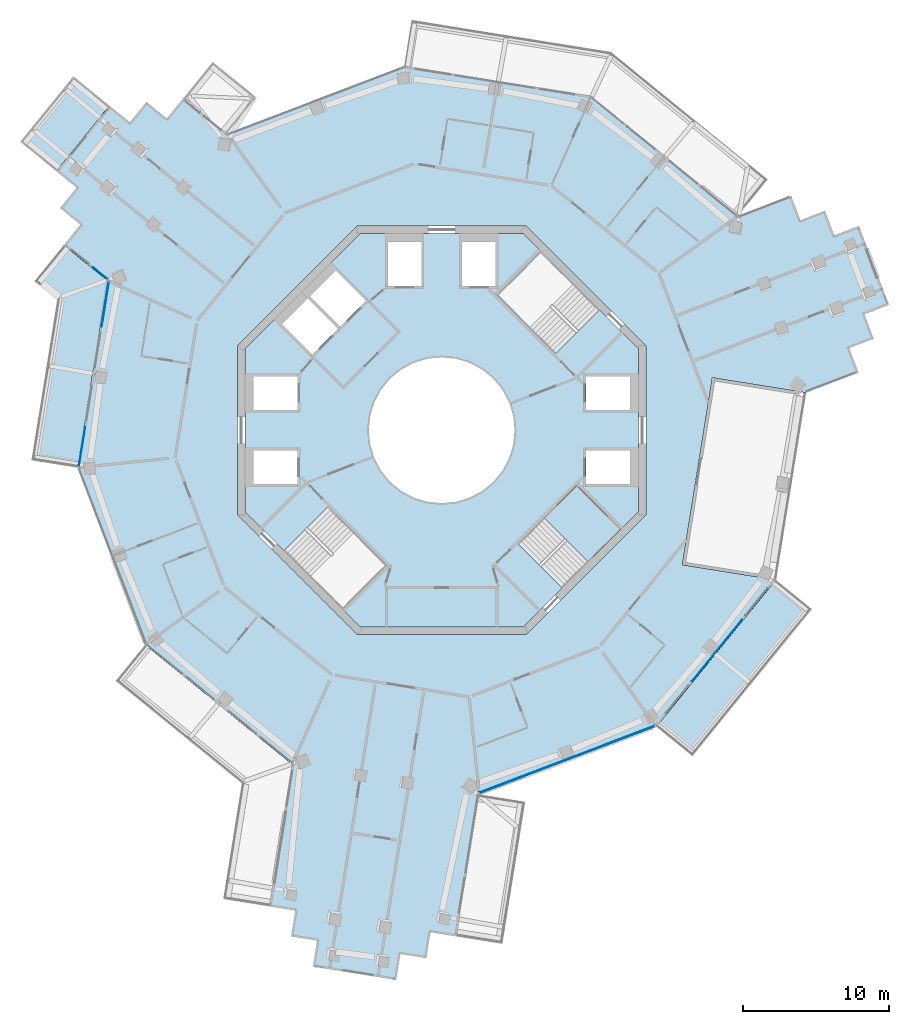
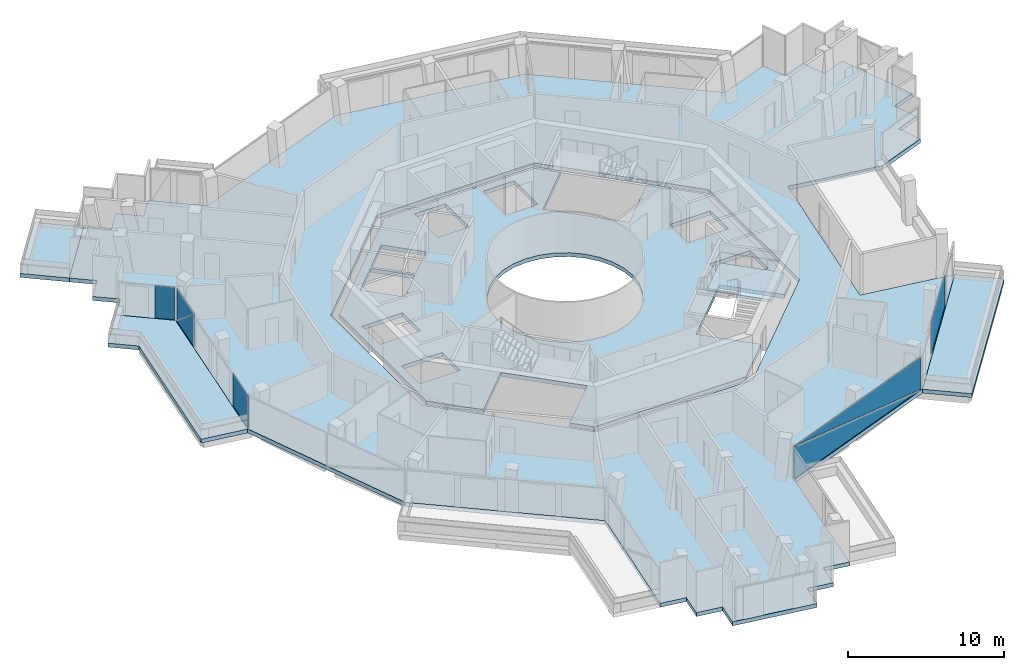
# One storey, part 12 of 23: 7 plates, 6 slabs, 5 elements without a shape of their own.
"""IFC4 building model written with IfcOpenShell, lengths in metres."""

from ifc_helpers import new_model, si_unit, direction, frame, origin, origin_2d, place, context, subcontext, project, spatial, polyline, rectangle, outline, extrude, material, layer, layer_set, type_object, element, aggregate, save


model = new_model("IFC4")

# Units and contexts
model_context = context("Model", 3, precision=1e-05, world=origin(), true_north=direction((0.0, 1.0)))
body_context = subcontext(model_context, "Body", "Model", "MODEL_VIEW")
ifc_project = project(units=[si_unit("LENGTHUNIT", "METRE"), si_unit("AREAUNIT", "SQUARE_METRE"), si_unit("VOLUMEUNIT", "CUBIC_METRE"), si_unit("PLANEANGLEUNIT", "RADIAN"), si_unit("MASSUNIT", "GRAM", prefix="KILO")], contexts=[model_context])

# Site, building, storey
site_placement = place(None, origin())
site = spatial("IfcSite", under=ifc_project, at=site_placement, CompositionType="ELEMENT")
building_placement = place(site_placement, origin())
building = spatial("IfcBuilding", under=site, at=building_placement, Name="Verdalira Terraces Hotel", CompositionType="ELEMENT")
storey_placement = place(building_placement, frame((0.0, 0.0, 241.0)))
storey = spatial("IfcBuildingStorey", under=building, at=storey_placement, Name="L59", CompositionType="ELEMENT", Elevation=241.0)

# Slabs
ifc_material_1 = material(Name="Precast concrete C40/50", Category="concrete")
ifc_layer_1 = layer(ifc_material_1, 0.31005859375)
ifc_layer_set_1 = layer_set([ifc_layer_1], Name="Balcony deck 310")
slab_type_1 = type_object("IfcSlabType", Name="Balcony deck 310", PredefinedType="FLOOR", material=ifc_layer_set_1)
slab_1_placement = place(storey_placement, frame((0.0, 0.0, -0.310059)))
element("IfcSlab", 1, at=slab_1_placement, inside=storey, type_object=slab_type_1, Name="Balcony deck", PredefinedType="FLOOR", context=body_context, shape_type="SweptSolid", body=[
    extrude(outline(polyline([(-28.929932, 19.789551), (-26.447266, 17.770508), (-22.787842, 22.270264), (-25.270508, 24.289307), (-28.929932, 19.789551)])), origin(), (0.0, 0.0, 1.0), 0.310059),
])
slab_2_placement = place(storey_placement, frame((0.0, 0.0, -0.310059)))
element("IfcSlab", 2, at=slab_2_placement, inside=storey, type_object=slab_type_1, Name="Balcony deck", PredefinedType="FLOOR", context=body_context, shape_type="SweptSolid", body=[
    extrude(outline(polyline([(-26.373779, 8.945801), (-28.141602, -2.065674), (-24.981934, -2.572754), (-22.921387, 10.262939), (-25.925781, 12.706055), (-27.944824, 10.223633), (-26.373779, 8.945801)])), origin(), (0.0, 0.0, 1.0), 0.310059),
])
slab_3_placement = place(storey_placement, frame((0.0, 0.0, -0.310059)))
element("IfcSlab", 3, at=slab_3_placement, inside=storey, type_object=slab_type_1, Name="Balcony deck", PredefinedType="FLOOR", context=body_context, shape_type="SweptSolid", body=[
    extrude(outline(polyline([(25.404053, -12.281982), (22.921387, -10.262939), (14.718994, -20.348633), (17.20166, -22.367676), (25.404053, -12.281982)])), origin(), (0.0, 0.0, 1.0), 0.310059),
])

# Curtain wall, plates
ifc_material_2 = material(Name="Clear glass", Category="glass")
ifc_layer_2 = layer(ifc_material_2, 0.14990234375)
ifc_layer_set_2 = layer_set([ifc_layer_2], Name="CW1 curtain wall")
curtain_wall_type_1 = type_object("IfcCurtainWallType", Name="CW1 curtain wall", PredefinedType="NOTDEFINED", material=ifc_layer_set_2)
curtain_wall_1_placement = place(storey_placement, origin())
curtain_wall_1 = element("IfcCurtainWall", 4, at=curtain_wall_1_placement, inside=storey, type_object=curtain_wall_type_1, Name="CW1 curtain wall L59 edge 11", PredefinedType="NOTDEFINED")
ifc_material_3 = material(Name="Clear glass", Category="glass")
ifc_layer_3 = layer(ifc_material_3, 0.028076171875)
ifc_layer_set_3 = layer_set([ifc_layer_3], Name="CW1 glass unit 28")
plate_type_1 = type_object("IfcPlateType", Name="CW1 glass unit 28", PredefinedType="CURTAIN_PANEL", material=ifc_layer_set_3)
plate_1_placement = place(storey_placement, frame((-23.091797, 8.639404, 1.262451), z_axis=(-0.987358539, 0.15850273, 0.0), x_axis=(-0.15850273, -0.987358539, 0.0)))
plate_1 = element("IfcPlate", 5, at=plate_1_placement, type_object=plate_type_1, Name="CW1 glass unit", PredefinedType="CURTAIN_PANEL", context=body_context, shape_type="SweptSolid", body=[
    extrude(outline(polyline([(-1.569824, -1.262451), (1.569824, -1.262451), (1.569824, 1.262451), (-1.569824, -1.262451)])), origin(), (0.0, 0.0, 1.0), 0.028076),
])
plate_2_placement = place(storey_placement, frame((-23.063232, 8.634766, 1.262451), z_axis=(-0.987358539, 0.15850273, 0.0), x_axis=(-0.15850273, -0.987358539, 0.0)))
plate_2 = element("IfcPlate", 6, at=plate_2_placement, type_object=plate_type_1, Name="CW1 glass unit", PredefinedType="CURTAIN_PANEL", context=body_context, shape_type="SweptSolid", body=[
    extrude(outline(polyline([(-1.569824, -1.262451), (1.569824, 1.262451), (-1.569824, 1.262451), (-1.569824, -1.262451)])), origin(), (0.0, 0.0, 1.0), 0.028076),
])
plate_3_placement = place(storey_placement, frame((-24.675049, -1.133789, 0.0), z_axis=(0.0, 0.0, 1.0), x_axis=(-0.15850273, -0.987358539, 0.0)))
plate_3 = element("IfcPlate", 7, at=plate_3_placement, type_object=plate_type_1, Name="CW1 glass unit", PredefinedType="CURTAIN_PANEL", context=body_context, shape_type="SweptSolid", body=[
    extrude(rectangle(XDim=2.738525, YDim=0.028076, at=origin_2d()), origin(), (0.0, 0.0, 1.0), 2.524902),
])
aggregate(curtain_wall_1, [plate_1, plate_2, plate_3])

curtain_wall_2_placement = place(storey_placement, origin())
curtain_wall_2 = element("IfcCurtainWall", 8, at=curtain_wall_2_placement, inside=storey, type_object=curtain_wall_type_1, Name="CW1 curtain wall L59 edge 25", PredefinedType="NOTDEFINED")
plate_4_placement = place(storey_placement, frame((8.595459, -22.589111, 1.262451), z_axis=(0.356411879, -0.934328942, 0.0), x_axis=(0.934328942, 0.356411879, 0.0)))
plate_4 = element("IfcPlate", 9, at=plate_4_placement, type_object=plate_type_1, Name="CW1 glass unit", PredefinedType="CURTAIN_PANEL", context=body_context, shape_type="SweptSolid", body=[
    extrude(outline(polyline([(-6.419922, -1.262451), (6.419922, -1.262451), (-6.419922, 1.262451), (-6.419922, -1.262451)])), origin(), (0.0, 0.0, 1.0), 0.028076),
])
plate_5_placement = place(storey_placement, frame((8.584961, -22.562012, 1.262451), z_axis=(0.356411879, -0.934328942, 0.0), x_axis=(0.934328942, 0.356411879, 0.0)))
plate_5 = element("IfcPlate", 10, at=plate_5_placement, type_object=plate_type_1, Name="CW1 glass unit", PredefinedType="CURTAIN_PANEL", context=body_context, shape_type="SweptSolid", body=[
    extrude(outline(polyline([(6.419922, -1.262451), (6.419922, 1.262451), (-6.419922, 1.262451), (6.419922, -1.262451)])), origin(), (0.0, 0.0, 1.0), 0.028076),
])
aggregate(curtain_wall_2, [plate_4, plate_5])

# Curtain wall, plate
curtain_wall_3_placement = place(storey_placement, origin())
curtain_wall_3 = element("IfcCurtainWall", 11, at=curtain_wall_3_placement, inside=storey, type_object=curtain_wall_type_1, Name="CW1 curtain wall L59 edge 26", PredefinedType="NOTDEFINED")
plate_6_placement = place(storey_placement, frame((18.875244, -15.119141, 0.0), z_axis=(0.0, 0.0, 1.0), x_axis=(0.63094666, 0.775826212, 0.0)))
plate_6 = element("IfcPlate", 12, at=plate_6_placement, type_object=plate_type_1, Name="CW1 glass unit", PredefinedType="CURTAIN_PANEL", context=body_context, shape_type="SweptSolid", body=[
    extrude(rectangle(XDim=5.432373, YDim=0.028076, at=origin_2d()), origin(), (0.0, 0.0, 1.0), 2.524902),
])
aggregate(curtain_wall_3, [plate_6])

ifc_material_4 = material(Name="Clear glass", Category="glass")
ifc_layer_4 = layer(ifc_material_4, 0.14990234375)
ifc_layer_set_4 = layer_set([ifc_layer_4], Name="CW2 curtain wall")
curtain_wall_type_2 = type_object("IfcCurtainWallType", Name="CW2 curtain wall", PredefinedType="NOTDEFINED", material=ifc_layer_set_4)
curtain_wall_4_placement = place(storey_placement, origin())
curtain_wall_4 = element("IfcCurtainWall", 13, at=curtain_wall_4_placement, inside=storey, type_object=curtain_wall_type_2, Name="CW2 curtain wall L59 edge 10", PredefinedType="NOTDEFINED")
ifc_material_5 = material(Name="Clear glass", Category="glass")
ifc_layer_5 = layer(ifc_material_5, 0.031982421875)
ifc_layer_set_5 = layer_set([ifc_layer_5], Name="CW2 glass unit 32")
plate_type_2 = type_object("IfcPlateType", Name="CW2 glass unit 32", PredefinedType="CURTAIN_PANEL", material=ifc_layer_set_5)
plate_7_placement = place(storey_placement, frame((-23.425781, 10.769775, 0.0), z_axis=(0.0, 0.0, 1.0), x_axis=(0.775826212, -0.63094666, 0.0)))
plate_7 = element("IfcPlate", 14, at=plate_7_placement, type_object=plate_type_2, Name="CW2 glass unit", PredefinedType="CURTAIN_PANEL", context=body_context, shape_type="SweptSolid", body=[
    extrude(rectangle(XDim=1.282471, YDim=0.031982, at=origin_2d()), origin(), (0.0, 0.0, 1.0), 2.524902),
])
aggregate(curtain_wall_4, [plate_7])

# Slab
ifc_material_6 = material(Name="Concrete C40", Category="concrete")
ifc_layer_6 = layer(ifc_material_6, 0.31005859375)
ifc_layer_set_6 = layer_set([ifc_layer_6], Name="Core floor slab 310 mm")
slab_type_2 = type_object("IfcSlabType", Name="Core floor slab 310 mm", PredefinedType="FLOOR", material=ifc_layer_set_6)
slab_4_placement = place(storey_placement, frame((0.0, 0.0, -0.310059)))
element("IfcSlab", 15, at=slab_4_placement, inside=storey, type_object=slab_type_2, Name="L59 core floor", PredefinedType="FLOOR", context=body_context, shape_type="SweptSolid", body=[
    extrude(outline(polyline([(-6.77417, -12.317871), (-3.719482, -9.263184), (-7.763672, -5.21875), (-10.818359, -8.273438), (-13.5, -5.591797), (-13.5, 5.591797), (-5.591797, 13.5), (5.591797, 13.5), (6.77417, 12.317871), (3.719482, 9.263184), (7.763672, 5.21875), (10.818359, 8.273438), (13.5, 5.591797), (13.5, -5.591797), (12.317871, -6.77417), (9.263184, -3.719482), (5.21875, -7.763672), (8.273438, -10.818359), (5.591797, -13.5), (-5.591797, -13.5), (-6.77417, -12.317871)]), holes=[polyline([(9.899902, -1.399902), (9.899902, -3.699951), (12.899902, -3.699951), (12.899902, -1.399902), (9.899902, -1.399902)]), polyline([(9.899902, 3.699951), (9.899902, 1.399902), (12.899902, 1.399902), (12.899902, 3.699951), (9.899902, 3.699951)]), polyline([(3.699951, 12.899902), (1.399902, 12.899902), (1.399902, 9.899902), (3.699951, 9.899902), (3.699951, 12.899902)]), polyline([(-1.399902, 12.899902), (-3.699951, 12.899902), (-3.699951, 9.899902), (-1.399902, 9.899902), (-1.399902, 12.899902)]), polyline([(-9.899902, 1.399902), (-9.899902, 3.699951), (-12.899902, 3.699951), (-12.899902, 1.399902), (-9.899902, 1.399902)]), polyline([(-9.899902, -3.699951), (-9.899902, -1.399902), (-12.899902, -1.399902), (-12.899902, -3.699951), (-9.899902, -3.699951)]), polyline([(-9.051025, 9.192383), (-6.965088, 7.106445), (-5.197266, 8.874268), (-7.283203, 10.960205), (-9.051025, 9.192383)]), polyline([(-9.192383, 9.051025), (-10.960205, 7.283203), (-8.874268, 5.197266), (-7.106445, 6.965088), (-9.192383, 9.051025)]), polyline([(3.5354, 3.5354), (2.777832, 4.157227), (1.91333, 4.619385), (0.975586, 4.903809), (0.0, 5.0), (-0.975586, 4.903809), (-1.91333, 4.619385), (-2.777832, 4.157227), (-3.5354, 3.5354), (-4.157227, 2.777832), (-4.619385, 1.91333), (-4.903809, 0.975586), (-5.0, 0.0), (-4.903809, -0.975586), (-4.619385, -1.91333), (-4.157227, -2.777832), (-3.5354, -3.5354), (-2.777832, -4.157227), (-1.91333, -4.619385), (-0.975586, -4.903809), (0.0, -5.0), (0.975586, -4.903809), (1.91333, -4.619385), (2.777832, -4.157227), (3.5354, -3.5354), (4.157227, -2.777832), (4.619385, -1.91333), (4.903809, -0.975586), (5.0, 0.0), (4.903809, 0.975586), (4.619385, 1.91333), (4.157227, 2.777832), (3.5354, 3.5354)])]), origin(), (0.0, 0.0, 1.0), 0.310059),
])

# Stair, slab
ifc_material_7 = material(Name="Concrete C40", Category="concrete")
stair_type = type_object("IfcStairType", Name="Core stair 20 risers 2100 mm wide", PredefinedType="HALF_TURN_STAIR", material=ifc_material_7)
stair_placement = place(storey_placement, origin())
stair = element("IfcStair", 16, at=stair_placement, inside=storey, type_object=stair_type, Name="L59 Exit stair ST3", PredefinedType="HALF_TURN_STAIR")
ifc_material_8 = material(Name="Concrete C40", Category="concrete")
ifc_layer_7 = layer(ifc_material_8, 0.199951171875)
ifc_layer_set_7 = layer_set([ifc_layer_7], Name="Core stair landing 200 mm")
slab_type_3 = type_object("IfcSlabType", Name="Core stair landing 200 mm", PredefinedType="LANDING", material=ifc_layer_set_7)
slab_5_placement = place(storey_placement, frame((0.0, 0.0, 1.550049)))
slab_5 = element("IfcSlab", 17, at=slab_5_placement, type_object=slab_type_3, Name="ST3 landing 1", PredefinedType="LANDING", context=body_context, shape_type="SweptSolid", body=[
    extrude(outline(polyline([(10.054688, -9.037109), (12.303711, -6.78833), (9.263184, -3.747559), (7.01416, -5.996582), (10.054688, -9.037109)])), origin(), (0.0, 0.0, 1.0), 0.199951),
])
aggregate(stair, [slab_5])

# Slab
ifc_material_9 = material(Name="Concrete C40", Category="concrete")
ifc_layer_8 = layer(ifc_material_9, 0.31005859375)
ifc_layer_set_8 = layer_set([ifc_layer_8], Name="Floor slab 310 C40")
slab_type_4 = type_object("IfcSlabType", Name="Floor slab 310 C40", PredefinedType="FLOOR", material=ifc_layer_set_8)
slab_6_placement = place(storey_placement, frame((0.0, 0.0, -0.310059)))
element("IfcSlab", 18, at=slab_6_placement, inside=storey, type_object=slab_type_4, Name="Floor slab L59", PredefinedType="FLOOR", context=body_context, shape_type="SweptSolid", body=[
    extrude(outline(polyline([(2.572754, -24.981934), (14.718994, -20.348633), (22.920898, -10.263184), (16.50293, -9.23291), (18.563721, 3.60376), (24.982422, 2.573242), (24.982422, 2.572998), (28.600098, 3.952881), (27.958496, 5.634766), (29.640381, 6.276367), (28.998779, 7.958008), (30.680664, 8.599609), (28.613281, 14.018799), (26.931641, 13.377197), (26.290039, 15.059082), (24.608398, 14.41748), (23.966797, 16.099365), (20.348633, 14.718994), (10.262695, 22.921387), (-2.572754, 24.981934), (-14.718994, 20.348633), (-17.723389, 22.791992), (-18.859131, 21.395508), (-20.255615, 22.531006), (-21.391357, 21.134521), (-22.787842, 22.270264), (-26.447266, 17.770508), (-25.050781, 16.634766), (-26.186523, 15.238281), (-24.790039, 14.102783), (-25.925781, 12.706299), (-22.921387, 10.262695), (-24.981934, -2.572754), (-20.348633, -14.718994), (-10.262695, -22.921387), (-11.827637, -32.669189), (-10.050293, -32.954346), (-10.335693, -34.731689), (-8.558594, -35.016846), (-8.84375, -36.794189), (-3.117188, -37.713379), (-2.831787, -35.936279), (-1.054443, -36.22168), (-0.769287, -34.444336), (1.008057, -34.729492), (2.572754, -24.981934)]), holes=[polyline([(5.799072, 14.0), (14.0, 5.799072), (14.0, -5.799072), (5.799072, -14.0), (-5.799072, -14.0), (-14.0, -5.799072), (-14.0, 5.799072), (-5.799072, 14.0), (5.799072, 14.0)])]), origin(), (0.0, 0.0, 1.0), 0.310059),
])

save(model, "model.ifc")
